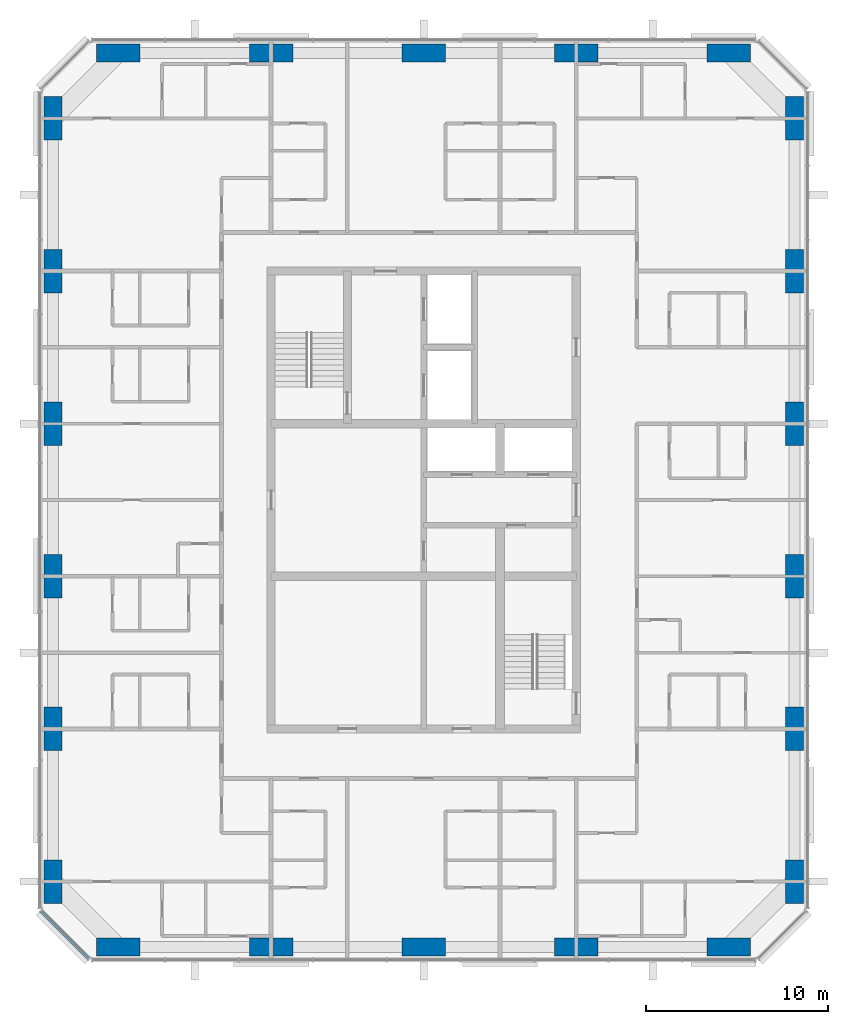
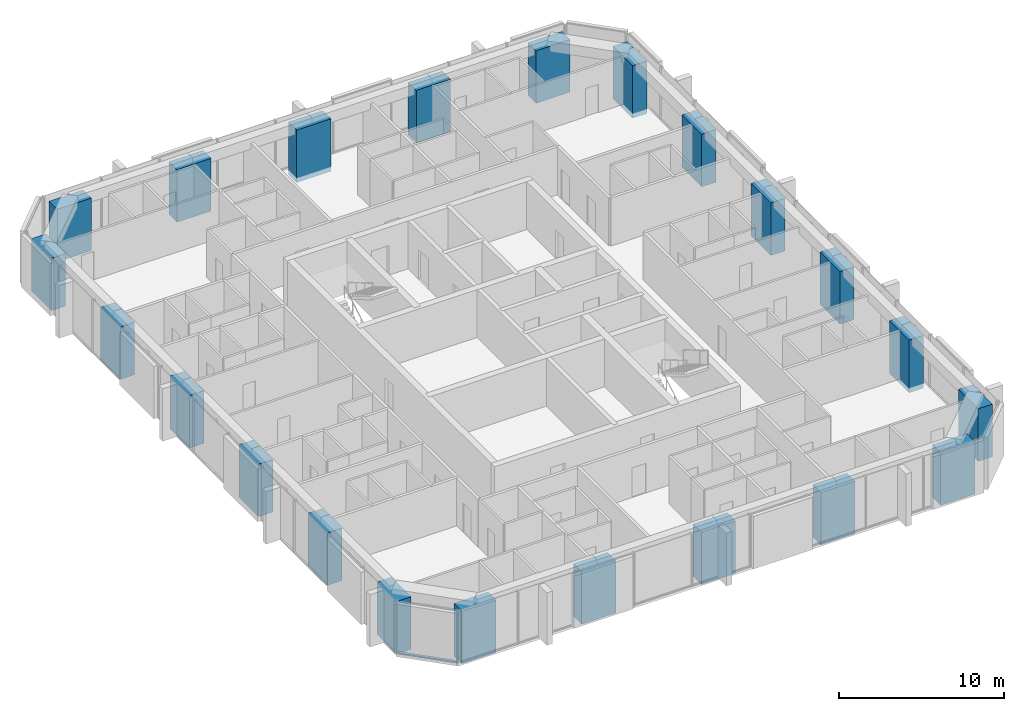
# One storey, part 1 of 12: 22 columns, 1 member, 1 element without a shape of its own.
"""IFC4 building model written with IfcOpenShell, lengths in metres."""

from ifc_helpers import new_model, si_unit, direction, frame, origin, origin_2d, place, context, subcontext, project, spatial, rectangle, extrude, material, material_profile, profile_set, type_object, element, aggregate, save


model = new_model("IFC4")

# Units and contexts
model_context = context("Model", 3, precision=1e-05, world=origin(), true_north=direction((0.0, 1.0)))
body_context = subcontext(model_context, "Body", "Model", "MODEL_VIEW")
ifc_project = project(units=[si_unit("LENGTHUNIT", "METRE"), si_unit("AREAUNIT", "SQUARE_METRE"), si_unit("VOLUMEUNIT", "CUBIC_METRE"), si_unit("PLANEANGLEUNIT", "RADIAN"), si_unit("MASSUNIT", "GRAM", prefix="KILO")], contexts=[model_context])

# Site, building, storey
site_placement = place(None, origin())
site = spatial("IfcSite", under=ifc_project, at=site_placement, CompositionType="ELEMENT")
building_placement = place(site_placement, origin())
building = spatial("IfcBuilding", under=site, at=building_placement, Name="Dunama Terrace Hotel", CompositionType="ELEMENT")
storey_placement = place(building_placement, frame((0.0, 0.0, 272.39990234375)))
storey = spatial("IfcBuildingStorey", under=building, at=storey_placement, Name="L70", CompositionType="ELEMENT", Elevation=272.39990234375)

# Columns
ifc_material_1 = material(Name="Concrete C50/60", Category="concrete")
ifc_material_profile_1 = material_profile(ifc_material_1, rectangle(XDim=1.0, YDim=2.39990234375, at=origin_2d()), Name="RC 1000x2400")
ifc_profile_set_1 = profile_set([ifc_material_profile_1], Name="Concrete C50/60")
column_type_1 = type_object("IfcColumnType", Name="Column RC 1000x2400", PredefinedType="COLUMN", material=ifc_profile_set_1)
for number, where, z_axis, x_axis, name in (
    (1, (13.199951171875, 8.39990234375, -0.349853515625), (0.0, 0.0, 1.0), (1.0, 0.0, 0.0), "Column L70 +13.2/+8.4"),
    (2, (13.199951171875, 16.800048828125, -0.349853515625), (0.0, 0.0, 1.0), (1.0, 0.0, 0.0), "Column L70 +13.2/+16.8"),
    (3, (13.199951171875, 25.199951171875, -0.349853515625), (0.0, 0.0, 1.0), (1.0, 0.0, 0.0), "Column L70 +13.2/+25.2"),
    (4, (13.199951171875, 33.60009765625, -0.349853515625), (0.0, 0.0, 1.0), (1.0, 0.0, 0.0), "Column L70 +13.2/+33.6"),
    (5, (13.199951171875, 42.0, -0.349853515625), (0.0, 0.0, 1.0), (1.0, 0.0, 0.0), "Column L70 +13.2/+42.0"),
    (6, (13.199951171875, 50.39990234375, -0.349853515625), (0.0, 0.0, 1.0), (1.0, 0.0, 0.0), "Column L70 +13.2/+50.4"),
    (7, (54.0, 8.39990234375, -0.349853515625), (0.0, 0.0, 1.0), (1.0, 0.0, 0.0), "Column L70 +54.0/+8.4"),
    (8, (54.0, 16.800048828125, -0.349853515625), (0.0, 0.0, 1.0), (1.0, 0.0, 0.0), "Column L70 +54.0/+16.8"),
    (9, (54.0, 25.199951171875, -0.349853515625), (0.0, 0.0, 1.0), (1.0, 0.0, 0.0), "Column L70 +54.0/+25.2"),
    (10, (54.0, 33.60009765625, -0.349853515625), (0.0, 0.0, 1.0), (1.0, 0.0, 0.0), "Column L70 +54.0/+33.6"),
    (11, (54.0, 42.0, -0.349853515625), (0.0, 0.0, 1.0), (1.0, 0.0, 0.0), "Column L70 +54.0/+42.0"),
    (12, (54.0, 50.39990234375, -0.349853515625), (0.0, 0.0, 1.0), (1.0, 0.0, 0.0), "Column L70 +54.0/+50.4"),
):
    element("IfcColumn", number, at=place(storey_placement, frame(where, z_axis=z_axis, x_axis=x_axis)), inside=storey, type_object=column_type_1, Name=name, PredefinedType="COLUMN", context=body_context, shape_type="SweptSolid", body=[
        extrude(rectangle(XDim=1.0, YDim=2.39990234375, at=origin_2d()), origin(), (0.0, 0.0, 1.0), 3.89990234375),
    ])
ifc_material_2 = material(Name="Concrete C50/60", Category="concrete")
ifc_material_profile_2 = material_profile(ifc_material_2, rectangle(XDim=2.39990234375, YDim=1.0, at=origin_2d()), Name="RC 2400x1000")
ifc_profile_set_2 = profile_set([ifc_material_profile_2], Name="Concrete C50/60")
column_type_2 = type_object("IfcColumnType", Name="Column RC 2400x1000", PredefinedType="COLUMN", material=ifc_profile_set_2)
for number, where, z_axis, x_axis, name in (
    (13, (16.800048828125, 4.800048828125, -0.349853515625), (0.0, 0.0, 1.0), (1.0, 0.0, 0.0), "Column L70 +16.8/+4.8"),
    (14, (16.800048828125, 54.0, -0.349853515625), (0.0, 0.0, 1.0), (1.0, 0.0, 0.0), "Column L70 +16.8/+54.0"),
    (15, (25.199951171875, 4.800048828125, -0.349853515625), (0.0, 0.0, 1.0), (1.0, 0.0, 0.0), "Column L70 +25.2/+4.8"),
    (16, (25.199951171875, 54.0, -0.349853515625), (0.0, 0.0, 1.0), (1.0, 0.0, 0.0), "Column L70 +25.2/+54.0"),
    (17, (33.60009765625, 4.800048828125, -0.349853515625), (0.0, 0.0, 1.0), (1.0, 0.0, 0.0), "Column L70 +33.6/+4.8"),
    (18, (33.60009765625, 54.0, -0.349853515625), (0.0, 0.0, 1.0), (1.0, 0.0, 0.0), "Column L70 +33.6/+54.0"),
    (19, (42.0, 4.800048828125, -0.349853515625), (0.0, 0.0, 1.0), (1.0, 0.0, 0.0), "Column L70 +42.0/+4.8"),
    (20, (42.0, 54.0, -0.349853515625), (0.0, 0.0, 1.0), (1.0, 0.0, 0.0), "Column L70 +42.0/+54.0"),
    (21, (50.39990234375, 4.800048828125, -0.349853515625), (0.0, 0.0, 1.0), (1.0, 0.0, 0.0), "Column L70 +50.4/+4.8"),
    (22, (50.39990234375, 54.0, -0.349853515625), (0.0, 0.0, 1.0), (1.0, 0.0, 0.0), "Column L70 +50.4/+54.0"),
):
    element("IfcColumn", number, at=place(storey_placement, frame(where, z_axis=z_axis, x_axis=x_axis)), inside=storey, type_object=column_type_2, Name=name, PredefinedType="COLUMN", context=body_context, shape_type="SweptSolid", body=[
        extrude(rectangle(XDim=2.39990234375, YDim=1.0, at=origin_2d()), origin(), (0.0, 0.0, 1.0), 3.89990234375),
    ])

# Curtain wall, member
ifc_material_3 = material(Name="Aluminium curtain wall system", Category="aluminium")
curtain_wall_type = type_object("IfcCurtainWallType", Name="Unitised fritted glass wall CW-D", PredefinedType="NOTDEFINED", material=ifc_material_3)
curtain_wall_placement = place(storey_placement, origin())
curtain_wall = element("IfcCurtainWall", 23, at=curtain_wall_placement, inside=storey, type_object=curtain_wall_type, Name="Unitised fritted glass wall CW-D L70", PredefinedType="NOTDEFINED")
ifc_material_4 = material(Name="Aluminium transom", Category="aluminium")
ifc_material_profile_3 = material_profile(ifc_material_4, rectangle(XDim=0.199951171875, YDim=0.0849609375, at=origin_2d()), Name="CWD TRANSOM 200X85")
ifc_profile_set_3 = profile_set([ifc_material_profile_3], Name="Aluminium transom")
member_type = type_object("IfcMemberType", Name="CWD transom 200x85", PredefinedType="USERDEFINED", material=ifc_profile_set_3)
member_placement = place(storey_placement, frame((12.56494140625, 6.76611328125, 0.04248046875), z_axis=(0.707106781187, -0.707106781187, 0.0), x_axis=(0.707106781187, 0.707106781187, 0.0)))
member = element("IfcMember", 24, at=member_placement, type_object=member_type, Name="CWD transom", ObjectType="TRANSOM", PredefinedType="USERDEFINED", context=body_context, shape_type="SweptSolid", body=[
    extrude(rectangle(XDim=0.199951171875, YDim=0.0849609375, at=origin_2d()), origin(), (0.0, 0.0, 1.0), 3.678466796875),
])
aggregate(curtain_wall, [member])

save(model, "model.ifc")
